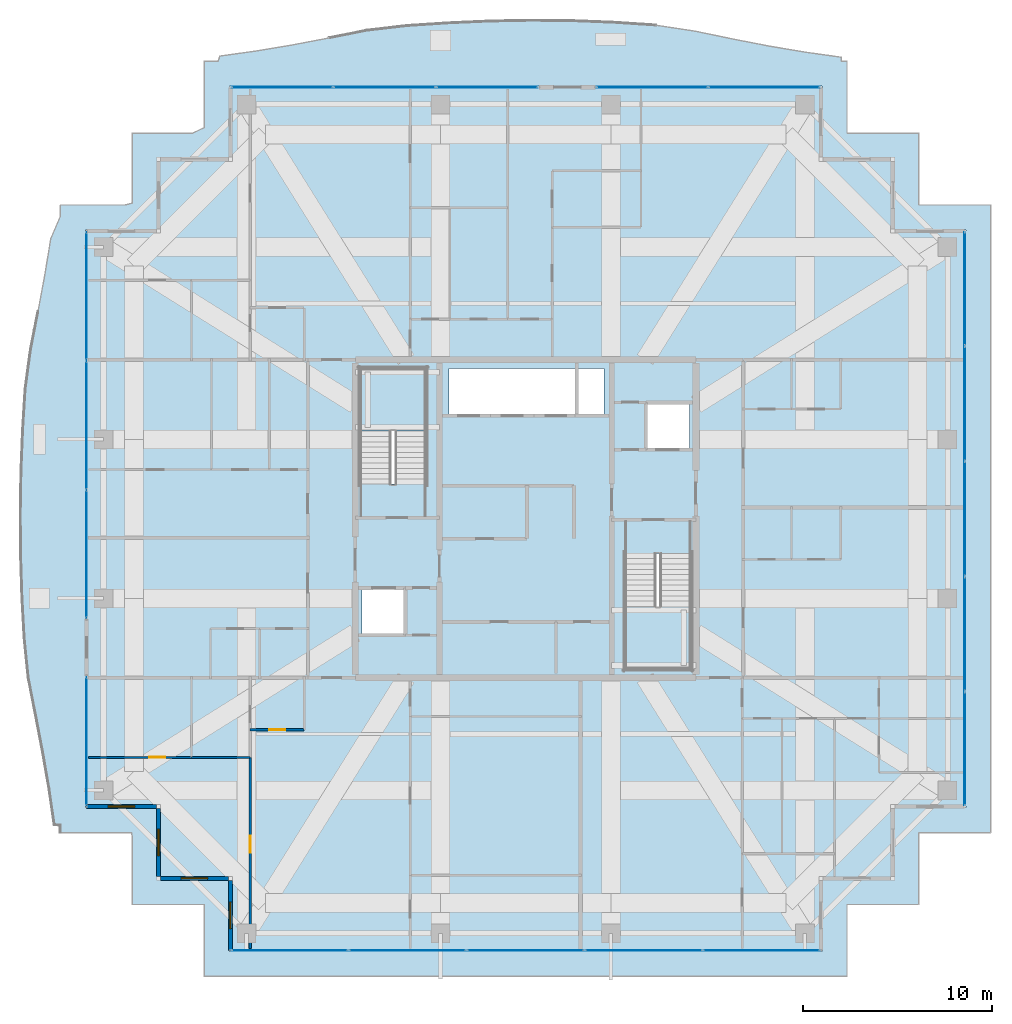
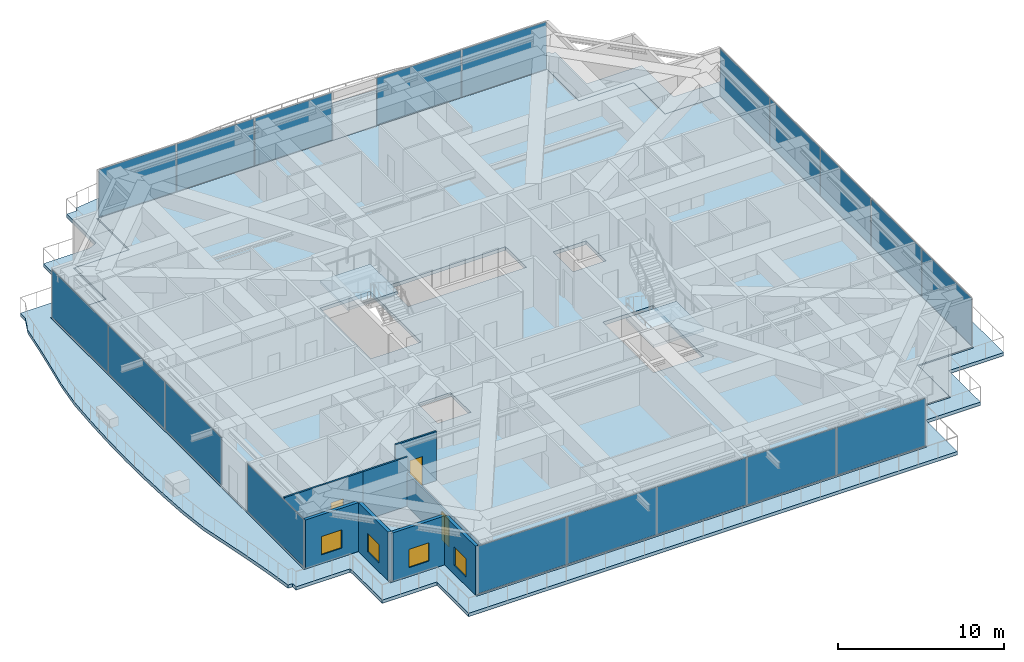
# One storey, part 28 of 40: 19 plates, 8 walls, 4 slabs, 4 windows, 3 doors, 7 openings, 8 elements without a shape of their own.
"""IFC4 building model written with IfcOpenShell, lengths in metres."""

from ifc_helpers import new_model, si_unit, direction, frame, frame_2d, origin, origin_2d, place, context, subcontext, project, spatial, polyline, rectangle, outline, extrude, source, transform, mapped, material, layer, layer_set, type_object, element, fill, aggregate, save


model = new_model("IFC4")

# Units and contexts
model_context = context("Model", 3, precision=1e-05, world=origin(), true_north=direction((0.0, 1.0)))
body_context = subcontext(model_context, "Body", "Model", "MODEL_VIEW")
ifc_project = project(units=[si_unit("LENGTHUNIT", "METRE"), si_unit("AREAUNIT", "SQUARE_METRE"), si_unit("VOLUMEUNIT", "CUBIC_METRE"), si_unit("PLANEANGLEUNIT", "RADIAN"), si_unit("MASSUNIT", "GRAM", prefix="KILO")], contexts=[model_context])

# Site, building, storey
site_placement = place(None, origin())
site = spatial("IfcSite", under=ifc_project, at=site_placement, CompositionType="ELEMENT")
building_placement = place(site_placement, origin())
building = spatial("IfcBuilding", under=site, at=building_placement, Name="Serunith Strait Residences", CompositionType="ELEMENT")
storey_placement = place(building_placement, frame((0.0, 0.0, 333.949951171875)))
storey = spatial("IfcBuildingStorey", under=building, at=storey_placement, Name="L83", CompositionType="ELEMENT", Elevation=333.949951171875)

# Slab
ifc_material_1 = material(Name="Concrete C50/60", Category="concrete")
ifc_layer_1 = layer(ifc_material_1, 0.239990234375, Name="Concrete C50/60")
ifc_layer_set_1 = layer_set([ifc_layer_1], Name="Concrete C50/60")
slab_type_1 = type_object("IfcSlabType", Name="SLB-BALC-240", PredefinedType="FLOOR", material=ifc_layer_set_1)
slab_1_placement = place(storey_placement, frame((0.0, 0.0, -0.2900390625)))
element("IfcSlab", 1, at=slab_1_placement, inside=storey, type_object=slab_type_1, Name="L83 Planted Vertical-Forest Balcony Slab", PredefinedType="FLOOR", context=body_context, shape_type="SweptSolid", body=[
    extrude(outline(polyline([(7.820068359375, 8.6201171875), (7.820068359375, 9.010986328125), (7.501220703125, 9.030029296875), (7.22412109375, 10.929931640625), (6.893310546875, 12.849853515625), (6.518798828125, 14.806640625), (6.124267578125, 16.819091796875), (5.911376953125, 18.939453125), (5.7939453125, 21.109619140625), (5.724853515625, 23.302734375), (5.70849609375, 25.5068359375), (5.7451171875, 27.70849609375), (5.83203125, 29.895263671875), (5.96337890625, 32.05615234375), (6.2451171875, 34.143798828125), (6.634521484375, 36.13916015625), (6.995849609375, 38.084716796875), (7.3095703125, 39.998291015625), (7.820068359375, 41.1875), (7.820068359375, 41.780029296875), (11.22998046875, 41.780029296875), (11.6201171875, 41.87744140625), (11.6201171875, 45.580078125), (14.810791015625, 45.580078125), (15.419921875, 45.866943359375), (15.419921875, 49.3798828125), (16.15625, 49.3798828125), (16.244873046875, 49.647216796875), (18.146484375, 49.91357421875), (20.065185546875, 50.2353515625), (22.01806640625, 50.606689453125), (24.023681640625, 51.008056640625), (26.134521484375, 51.252197265625), (28.302490234375, 51.39404296875), (30.497314453125, 51.49072265625), (32.7080078125, 51.531005859375), (34.919189453125, 51.50830078125), (37.115478515625, 51.42236328125), (39.2822265625, 51.2802734375), (41.364013671875, 50.96240234375), (43.3515625, 50.5498046875), (45.287841796875, 50.17236328125), (47.193603515625, 49.849853515625), (49.0859375, 49.587158203125), (49.083984375, 49.3798828125), (49.3798828125, 49.3798828125), (49.3798828125, 45.580078125), (53.179931640625, 45.580078125), (53.179931640625, 41.780029296875), (56.97998046875, 41.780029296875), (56.97998046875, 8.6201171875), (53.179931640625, 8.6201171875), (53.179931640625, 4.820068359375), (49.392578125, 4.820068359375), (49.3798828125, 4.815185546875), (49.3798828125, 1.02001953125), (15.419921875, 1.02001953125), (15.419921875, 4.820068359375), (11.6201171875, 4.820068359375), (11.6201171875, 8.365966796875), (11.580810546875, 8.6201171875), (7.820068359375, 8.6201171875)]), holes=[polyline([(48.054931640625, 2.344970703125), (48.054931640625, 6.14501953125), (51.85498046875, 6.14501953125), (51.85498046875, 9.945068359375), (55.655029296875, 9.945068359375), (55.655029296875, 40.455078125), (51.85498046875, 40.455078125), (51.85498046875, 44.2548828125), (48.054931640625, 44.2548828125), (48.054931640625, 48.054931640625), (16.7451171875, 48.054931640625), (16.7451171875, 44.2548828125), (12.945068359375, 44.2548828125), (12.945068359375, 40.455078125), (9.14501953125, 40.455078125), (9.14501953125, 9.945068359375), (12.945068359375, 9.945068359375), (12.945068359375, 6.14501953125), (16.7451171875, 6.14501953125), (16.7451171875, 2.344970703125), (48.054931640625, 2.344970703125)])]), origin(), (0.0, 0.0, 1.0), 0.239990234375),
])

# Stair, slab
stair_type_1 = type_object("IfcStairType", Name="STR-CORE-1", PredefinedType="HALF_TURN_STAIR", material=ifc_material_1)
stair_1_placement = place(storey_placement, origin())
stair_1 = element("IfcStair", 2, at=stair_1_placement, inside=storey, type_object=stair_type_1, Name="L83 Protected Escape Stair ST-1", PredefinedType="HALF_TURN_STAIR")
ifc_layer_2 = layer(ifc_material_1, 0.199951171875, Name="Concrete C50/60")
ifc_layer_set_2 = layer_set([ifc_layer_2], Name="Concrete C50/60")
slab_type_2 = type_object("IfcSlabType", Name="SLB-LAND-200", PredefinedType="LANDING", material=ifc_layer_set_2)
slab_2_placement = place(storey_placement, frame((0.0, 0.0, 1.824951171875)))
slab_2 = element("IfcSlab", 3, at=slab_2_placement, type_object=slab_type_2, Name="ST-1 landing 1", PredefinedType="LANDING", context=body_context, shape_type="SweptSolid", body=[
    extrude(outline(polyline([(27.14990234375, 29.830078125), (27.14990234375, 33.14990234375), (23.64990234375, 33.14990234375), (23.64990234375, 29.830078125), (27.14990234375, 29.830078125)])), origin(), (0.0, 0.0, 1.0), 0.2001953125),
])
aggregate(stair_1, [slab_2])

stair_type_2 = type_object("IfcStairType", Name="STR-CORE-2", PredefinedType="HALF_TURN_STAIR", material=ifc_material_1)
stair_2_placement = place(storey_placement, origin())
stair_2 = element("IfcStair", 4, at=stair_2_placement, inside=storey, type_object=stair_type_2, Name="L83 Protected Escape Stair ST-2", PredefinedType="HALF_TURN_STAIR")
slab_3_placement = place(storey_placement, frame((0.0, 0.0, 1.824951171875)))
slab_3 = element("IfcSlab", 5, at=slab_3_placement, type_object=slab_type_2, Name="ST-2 landing 1", PredefinedType="LANDING", context=body_context, shape_type="SweptSolid", body=[
    extrude(outline(polyline([(37.64990234375, 20.570068359375), (37.64990234375, 17.25), (41.14990234375, 17.25), (41.14990234375, 20.570068359375), (37.64990234375, 20.570068359375)])), origin(), (0.0, 0.0, 1.0), 0.2001953125),
])
aggregate(stair_2, [slab_3])

# Slab
ifc_material_2 = material(Name="Concrete C60/75", Category="concrete")
ifc_layer_3 = layer(ifc_material_2, 0.260009765625, Name="Concrete C60/75")
ifc_layer_set_3 = layer_set([ifc_layer_3], Name="Concrete C60/75")
slab_type_3 = type_object("IfcSlabType", Name="SLB-TWR-290-Z4", PredefinedType="FLOOR", material=ifc_layer_set_3)
slab_4_placement = place(storey_placement, frame((0.0, 0.0, -0.260009765625)))
element("IfcSlab", 6, at=slab_4_placement, inside=storey, type_object=slab_type_3, Name="L83 Structural Floor Plate", PredefinedType="FLOOR", context=body_context, shape_type="SweptSolid", body=[
    extrude(outline(polyline([(16.800048828125, 6.199951171875), (13.0, 6.199951171875), (13.0, 10.0), (9.199951171875, 10.0), (9.199951171875, 40.39990234375), (13.0, 40.39990234375), (13.0, 44.199951171875), (16.800048828125, 44.199951171875), (16.800048828125, 48.0), (48.0, 48.0), (48.0, 44.199951171875), (51.800048828125, 44.199951171875), (51.800048828125, 40.39990234375), (55.60009765625, 40.39990234375), (55.60009765625, 10.0), (51.800048828125, 10.0), (51.800048828125, 6.199951171875), (48.0, 6.199951171875), (48.0, 2.39990234375), (16.800048828125, 2.39990234375), (16.800048828125, 6.199951171875)]), holes=[polyline([(41.14990234375, 23.3701171875), (37.64990234375, 23.3701171875), (37.64990234375, 17.25), (41.14990234375, 17.25), (41.14990234375, 23.3701171875)]), polyline([(38.75, 31.25), (38.75, 28.85009765625), (41.050048828125, 28.85009765625), (41.050048828125, 31.25), (38.75, 31.25)]), polyline([(36.550048828125, 33.14990234375), (28.35009765625, 33.14990234375), (28.35009765625, 30.64990234375), (36.550048828125, 30.64990234375), (36.550048828125, 33.14990234375)]), polyline([(23.64990234375, 33.14990234375), (23.64990234375, 27.030029296875), (27.14990234375, 27.030029296875), (27.14990234375, 33.14990234375), (23.64990234375, 33.14990234375)]), polyline([(23.75, 21.550048828125), (23.75, 19.14990234375), (26.050048828125, 19.14990234375), (26.050048828125, 21.550048828125), (23.75, 21.550048828125)])]), origin(), (0.0, 0.0, 1.0), 0.260009765625),
])

# Curtain wall, plates
ifc_material_3 = material(Name="Brushed Stainless-Silver Aluminium", Category="aluminium")
ifc_layer_4 = layer(ifc_material_3, 0.199951171875, Name="Brushed Stainless-Silver Aluminium")
ifc_layer_set_4 = layer_set([ifc_layer_4], Name="Brushed Stainless-Silver Aluminium")
curtain_wall_type = type_object("IfcCurtainWallType", Name="CW-SYS5", PredefinedType="NOTDEFINED", material=ifc_layer_set_4)
curtain_wall_1_placement = place(storey_placement, origin())
curtain_wall_1 = element("IfcCurtainWall", 7, at=curtain_wall_1_placement, inside=storey, type_object=curtain_wall_type, Name="L83 S Unitised Fritted Curtain Wall", PredefinedType="NOTDEFINED")
ifc_material_4 = material(Name="Triple-Silver Low-E Operable Glazing 34mm", Category="glass")
ifc_layer_5 = layer(ifc_material_4, 0.033935546875, Name="Triple-Silver Low-E Operable Glazing 34mm")
ifc_layer_set_5 = layer_set([ifc_layer_5], Name="Triple-Silver Low-E Operable Glazing 34mm")
plate_type = type_object("IfcPlateType", Name="CW-SYS5-PNL", PredefinedType="CURTAIN_PANEL", material=ifc_layer_set_5)
shared_shape_1 = source(origin(), body_context, "Body", "SweptSolid", [
    extrude(rectangle(XDim=6.142578125, YDim=0.033935546875, at=origin_2d()), origin(), (0.0, 0.0, 1.0), 3.47509765625),
])
plate_1_placement = place(storey_placement, frame((19.936279296875, 2.39990234375, 0.06005859375), z_axis=(0.0, 0.0, 1.0), x_axis=(1.0, 0.0, 0.0)))
plate_1 = element("IfcPlate", 8, at=plate_1_placement, type_object=plate_type, Name="CW-5 panel 1.1", PredefinedType="CURTAIN_PANEL", context=body_context, shape_type="MappedRepresentation", body=[
    mapped(shared_shape_1, transform((0.0, 0.0, 0.0), scale=1.0)),
])
plate_2_placement = place(storey_placement, frame((44.86376953125, 2.39990234375, 0.06005859375), z_axis=(0.0, 0.0, 1.0), x_axis=(1.0, 0.0, 0.0)))
plate_2 = element("IfcPlate", 9, at=plate_2_placement, type_object=plate_type, Name="CW-5 panel 5.1", PredefinedType="CURTAIN_PANEL", context=body_context, shape_type="MappedRepresentation", body=[
    mapped(shared_shape_1, transform((0.0, 0.0, 0.0), scale=1.0)),
])
shared_shape_2 = source(origin(), body_context, "Body", "SweptSolid", [
    extrude(rectangle(XDim=6.175048828125, YDim=0.033935546875, at=origin_2d()), origin(), (0.0, 0.0, 1.0), 3.47509765625),
])
plate_3_placement = place(storey_placement, frame((26.159912109375, 2.39990234375, 0.06005859375), z_axis=(0.0, 0.0, 1.0), x_axis=(1.0, 0.0, 0.0)))
plate_3 = element("IfcPlate", 10, at=plate_3_placement, type_object=plate_type, Name="CW-5 panel 2.1", PredefinedType="CURTAIN_PANEL", context=body_context, shape_type="MappedRepresentation", body=[
    mapped(shared_shape_2, transform((0.0, 0.0, 0.0), scale=1.0)),
])
plate_4_placement = place(storey_placement, frame((32.39990234375, 2.39990234375, 0.06005859375), z_axis=(0.0, 0.0, 1.0), x_axis=(1.0, 0.0, 0.0)))
plate_4 = element("IfcPlate", 11, at=plate_4_placement, type_object=plate_type, Name="CW-5 panel 3.1", PredefinedType="CURTAIN_PANEL", context=body_context, shape_type="MappedRepresentation", body=[
    mapped(shared_shape_2, transform((0.0, 0.0, 0.0), scale=1.0)),
])
plate_5_placement = place(storey_placement, frame((38.639892578125, 2.39990234375, 0.06005859375), z_axis=(0.0, 0.0, 1.0), x_axis=(1.0, 0.0, 0.0)))
plate_5 = element("IfcPlate", 12, at=plate_5_placement, type_object=plate_type, Name="CW-5 panel 4.1", PredefinedType="CURTAIN_PANEL", context=body_context, shape_type="MappedRepresentation", body=[
    mapped(shared_shape_2, transform((0.0, 0.0, 0.0), scale=1.0)),
])
aggregate(curtain_wall_1, [plate_1, plate_3, plate_4, plate_5, plate_2])

curtain_wall_2_placement = place(storey_placement, origin())
curtain_wall_2 = element("IfcCurtainWall", 13, at=curtain_wall_2_placement, inside=storey, type_object=curtain_wall_type, Name="L83 E Unitised Fritted Curtain Wall", PredefinedType="NOTDEFINED")
shared_shape_3 = source(origin(), body_context, "Body", "SweptSolid", [
    extrude(rectangle(XDim=5.982421875, YDim=0.033935546875, at=origin_2d()), origin(), (0.0, 0.0, 1.0), 3.47509765625),
])
plate_6_placement = place(storey_placement, frame((55.60009765625, 13.05615234375, 0.06005859375), z_axis=(0.0, 0.0, 1.0), x_axis=(0.0, 1.0, 0.0)))
plate_6 = element("IfcPlate", 14, at=plate_6_placement, type_object=plate_type, Name="CW-5 panel 1.1", PredefinedType="CURTAIN_PANEL", context=body_context, shape_type="MappedRepresentation", body=[
    mapped(shared_shape_3, transform((0.0, 0.0, 0.0), scale=1.0)),
])
plate_7_placement = place(storey_placement, frame((55.60009765625, 37.34375, 0.06005859375), z_axis=(0.0, 0.0, 1.0), x_axis=(0.0, 1.0, 0.0)))
plate_7 = element("IfcPlate", 15, at=plate_7_placement, type_object=plate_type, Name="CW-5 panel 5.1", PredefinedType="CURTAIN_PANEL", context=body_context, shape_type="MappedRepresentation", body=[
    mapped(shared_shape_3, transform((0.0, 0.0, 0.0), scale=1.0)),
])
shared_shape_4 = source(origin(), body_context, "Body", "SweptSolid", [
    extrude(rectangle(XDim=6.014892578125, YDim=0.033935546875, at=origin_2d()), origin(), (0.0, 0.0, 1.0), 3.47509765625),
])
plate_8_placement = place(storey_placement, frame((55.60009765625, 19.1201171875, 0.06005859375), z_axis=(0.0, 0.0, 1.0), x_axis=(0.0, 1.0, 0.0)))
plate_8 = element("IfcPlate", 16, at=plate_8_placement, type_object=plate_type, Name="CW-5 panel 2.1", PredefinedType="CURTAIN_PANEL", context=body_context, shape_type="MappedRepresentation", body=[
    mapped(shared_shape_4, transform((0.0, 0.0, 0.0), scale=1.0)),
])
plate_9_placement = place(storey_placement, frame((55.60009765625, 25.199951171875, 0.06005859375), z_axis=(0.0, 0.0, 1.0), x_axis=(0.0, 1.0, 0.0)))
plate_9 = element("IfcPlate", 17, at=plate_9_placement, type_object=plate_type, Name="CW-5 panel 3.1", PredefinedType="CURTAIN_PANEL", context=body_context, shape_type="MappedRepresentation", body=[
    mapped(shared_shape_4, transform((0.0, 0.0, 0.0), scale=1.0)),
])
plate_10_placement = place(storey_placement, frame((55.60009765625, 31.280029296875, 0.06005859375), z_axis=(0.0, 0.0, 1.0), x_axis=(0.0, 1.0, 0.0)))
plate_10 = element("IfcPlate", 18, at=plate_10_placement, type_object=plate_type, Name="CW-5 panel 4.1", PredefinedType="CURTAIN_PANEL", context=body_context, shape_type="MappedRepresentation", body=[
    mapped(shared_shape_4, transform((0.0, 0.0, 0.0), scale=1.0)),
])
aggregate(curtain_wall_2, [plate_6, plate_8, plate_9, plate_10, plate_7])

curtain_wall_3_placement = place(storey_placement, origin())
curtain_wall_3 = element("IfcCurtainWall", 19, at=curtain_wall_3_placement, inside=storey, type_object=curtain_wall_type, Name="L83 N Unitised Fritted Curtain Wall", PredefinedType="NOTDEFINED")
shared_shape_5 = source(origin(), body_context, "Body", "SweptSolid", [
    extrude(rectangle(XDim=5.8525390625, YDim=0.033935546875, at=origin_2d()), origin(), (0.0, 0.0, 1.0), 3.47509765625),
])
plate_11_placement = place(storey_placement, frame((45.0087890625, 48.0, 0.06005859375), z_axis=(0.0, 0.0, 1.0), x_axis=(-1.0, 0.0, 0.0)))
plate_11 = element("IfcPlate", 20, at=plate_11_placement, type_object=plate_type, Name="CW-5 panel 1.1", PredefinedType="CURTAIN_PANEL", context=body_context, shape_type="MappedRepresentation", body=[
    mapped(shared_shape_5, transform((0.0, 0.0, 0.0), scale=1.0)),
])
plate_12_placement = place(storey_placement, frame((39.09130859375, 48.0, 0.06005859375), z_axis=(0.0, 0.0, 1.0), x_axis=(-1.0, 0.0, 0.0)))
plate_12 = element("IfcPlate", 21, at=plate_12_placement, type_object=plate_type, Name="CW-5 panel 2.1", PredefinedType="CURTAIN_PANEL", context=body_context, shape_type="MappedRepresentation", body=[
    mapped(shared_shape_5, transform((0.0, 0.0, 0.0), scale=1.0)),
])
aggregate(curtain_wall_3, [plate_11, plate_12])

curtain_wall_4_placement = place(storey_placement, origin())
curtain_wall_4 = element("IfcCurtainWall", 22, at=curtain_wall_4_placement, inside=storey, type_object=curtain_wall_type, Name="L83 N Unitised Fritted Curtain Wall", PredefinedType="NOTDEFINED")
shared_shape_6 = source(origin(), body_context, "Body", "SweptSolid", [
    extrude(rectangle(XDim=5.3359375, YDim=0.033935546875, at=origin_2d()), origin(), (0.0, 0.0, 1.0), 3.47509765625),
])
plate_13_placement = place(storey_placement, frame((30.3671875, 48.0, 0.06005859375), z_axis=(0.0, 0.0, 1.0), x_axis=(-1.0, 0.0, 0.0)))
plate_13 = element("IfcPlate", 23, at=plate_13_placement, type_object=plate_type, Name="CW-5 panel 1.1", PredefinedType="CURTAIN_PANEL", context=body_context, shape_type="MappedRepresentation", body=[
    mapped(shared_shape_6, transform((0.0, 0.0, 0.0), scale=1.0)),
])
plate_14_placement = place(storey_placement, frame((19.532958984375, 48.0, 0.06005859375), z_axis=(0.0, 0.0, 1.0), x_axis=(-1.0, 0.0, 0.0)))
plate_14 = element("IfcPlate", 24, at=plate_14_placement, type_object=plate_type, Name="CW-5 panel 3.1", PredefinedType="CURTAIN_PANEL", context=body_context, shape_type="MappedRepresentation", body=[
    mapped(shared_shape_6, transform((0.0, 0.0, 0.0), scale=1.0)),
])
shared_shape_7 = source(origin(), body_context, "Body", "SweptSolid", [
    extrude(rectangle(XDim=5.368408203125, YDim=0.033935546875, at=origin_2d()), origin(), (0.0, 0.0, 1.0), 3.47509765625),
])
plate_15_placement = place(storey_placement, frame((24.949951171875, 48.0, 0.06005859375), z_axis=(0.0, 0.0, 1.0), x_axis=(-1.0, 0.0, 0.0)))
plate_15 = element("IfcPlate", 25, at=plate_15_placement, type_object=plate_type, Name="CW-5 panel 2.1", PredefinedType="CURTAIN_PANEL", context=body_context, shape_type="MappedRepresentation", body=[
    mapped(shared_shape_7, transform((0.0, 0.0, 0.0), scale=1.0)),
])
aggregate(curtain_wall_4, [plate_13, plate_15, plate_14])

curtain_wall_5_placement = place(storey_placement, origin())
curtain_wall_5 = element("IfcCurtainWall", 26, at=curtain_wall_5_placement, inside=storey, type_object=curtain_wall_type, Name="L83 W Unitised Fritted Curtain Wall", PredefinedType="NOTDEFINED")
shared_shape_8 = source(origin(), body_context, "Body", "SweptSolid", [
    extrude(rectangle(XDim=6.73583984375, YDim=0.033935546875, at=origin_2d()), origin(), (0.0, 0.0, 1.0), 3.47509765625),
])
plate_16_placement = place(storey_placement, frame((9.199951171875, 36.967041015625, 0.06005859375), z_axis=(0.0, 0.0, 1.0), x_axis=(0.0, -1.0, 0.0)))
plate_16 = element("IfcPlate", 27, at=plate_16_placement, type_object=plate_type, Name="CW-5 panel 1.1", PredefinedType="CURTAIN_PANEL", context=body_context, shape_type="MappedRepresentation", body=[
    mapped(shared_shape_8, transform((0.0, 0.0, 0.0), scale=1.0)),
])
plate_17_placement = place(storey_placement, frame((9.199951171875, 23.3330078125, 0.06005859375), z_axis=(0.0, 0.0, 1.0), x_axis=(0.0, -1.0, 0.0)))
plate_17 = element("IfcPlate", 28, at=plate_17_placement, type_object=plate_type, Name="CW-5 panel 3.1", PredefinedType="CURTAIN_PANEL", context=body_context, shape_type="MappedRepresentation", body=[
    mapped(shared_shape_8, transform((0.0, 0.0, 0.0), scale=1.0)),
])
shared_shape_9 = source(origin(), body_context, "Body", "SweptSolid", [
    extrude(rectangle(XDim=6.768310546875, YDim=0.033935546875, at=origin_2d()), origin(), (0.0, 0.0, 1.0), 3.47509765625),
])
plate_18_placement = place(storey_placement, frame((9.199951171875, 30.14990234375, 0.06005859375), z_axis=(0.0, 0.0, 1.0), x_axis=(0.0, -1.0, 0.0)))
plate_18 = element("IfcPlate", 29, at=plate_18_placement, type_object=plate_type, Name="CW-5 panel 2.1", PredefinedType="CURTAIN_PANEL", context=body_context, shape_type="MappedRepresentation", body=[
    mapped(shared_shape_9, transform((0.0, 0.0, 0.0), scale=1.0)),
])
aggregate(curtain_wall_5, [plate_16, plate_18, plate_17])

# Curtain wall, plate
curtain_wall_6_placement = place(storey_placement, origin())
curtain_wall_6 = element("IfcCurtainWall", 30, at=curtain_wall_6_placement, inside=storey, type_object=curtain_wall_type, Name="L83 W Unitised Fritted Curtain Wall", PredefinedType="NOTDEFINED")
shared_shape_10 = source(origin(), body_context, "Body", "SweptSolid", [
    extrude(rectangle(XDim=6.77001953125, YDim=0.033935546875, at=origin_2d()), origin(), (0.0, 0.0, 1.0), 3.47509765625),
])
plate_19_placement = place(storey_placement, frame((9.199951171875, 13.449951171875, 0.06005859375), z_axis=(0.0, 0.0, 1.0), x_axis=(0.0, -1.0, 0.0)))
plate_19 = element("IfcPlate", 31, at=plate_19_placement, type_object=plate_type, Name="CW-5 panel 1.1", PredefinedType="CURTAIN_PANEL", context=body_context, shape_type="MappedRepresentation", body=[
    mapped(shared_shape_10, transform((0.0, 0.0, 0.0), scale=1.0)),
])
aggregate(curtain_wall_6, [plate_19])

# Wall, opening, window
ifc_material_5 = material(Name="Pale-Champagne Aluminium Insulated Panel", Category="aluminium")
ifc_layer_6 = layer(ifc_material_5, 0.219970703125, Name="Pale-Champagne Aluminium Insulated Panel")
ifc_layer_set_6 = layer_set([ifc_layer_6], Name="Pale-Champagne Aluminium Insulated Panel")
wall_type_1 = type_object("IfcWallType", Name="EW-ALUM-220", PredefinedType="ELEMENTEDWALL", material=ifc_layer_set_6)
wall_1_placement = place(storey_placement, frame((9.199951171875, 10.0, 0.0), z_axis=(0.0, 0.0, 1.0), x_axis=(1.0, 0.0, 0.0)))
wall_1 = element("IfcWall", 32, at=wall_1_placement, inside=storey, type_object=wall_type_1, Name="L83 Girih Serrated Corner Wall 17", PredefinedType="ELEMENTEDWALL", context=body_context, shape_type="SweptSolid", body=[
    extrude(rectangle(XDim=3.68994140625, YDim=0.219970703125, at=frame_2d((1.844970703125, 0.0))), origin(), (0.0, 0.0, 1.0), 3.594970703125),
])
opening_1_placement = place(wall_1_placement, frame((1.14501953125, 0.0, 0.64990234375)))
opening_1 = element("IfcOpeningElement", 33, at=opening_1_placement, cuts=wall_1, Name="Opening W-09", PredefinedType="OPENING", context=body_context, shape_type="SweptSolid", body=[
    extrude(rectangle(XDim=1.39990234375, YDim=1.35009765625, at=frame_2d((0.699951171875, 0.675048828125))), frame((0.0, 0.1201171875, 0.0), z_axis=(0.0, -1.0, 0.0), x_axis=(1.0, 0.0, 0.0)), (0.0, 0.0, 1.0), 0.239990234375),
])
ifc_material_6 = material(Name="Setback Spandrel Ceramic-Fritted Operable Window Glass", Category="glass")
window_type = type_object("IfcWindowType", Name="WIN-C7", PartitioningType="DOUBLE_PANEL_VERTICAL", PredefinedType="WINDOW", material=ifc_material_6)
shared_shape_11 = source(origin(), body_context, "Body", "SweptSolid", [
    extrude(rectangle(XDim=1.39990234375, YDim=1.35009765625, at=frame_2d((0.699951171875, 0.675048828125))), frame((0.0, 0.030029296875, 0.0), z_axis=(0.0, -1.0, 0.0), x_axis=(1.0, 0.0, 0.0)), (0.0, 0.0, 1.0), 0.06005859375),
])
window_1_placement = place(opening_1_placement, origin())
window_1 = element("IfcWindow", 34, at=window_1_placement, inside=storey, type_object=window_type, Name="L83 Corner Operable Fritted Window 17", OverallHeight=1.35009765625, OverallWidth=1.39990234375, PartitioningType="SINGLE_PANEL", PredefinedType="WINDOW", context=body_context, shape_type="MappedRepresentation", body=[
    mapped(shared_shape_11, transform((0.0, 0.0, 0.0), scale=1.0)),
])
fill(opening_1, window_1)

wall_2_placement = place(storey_placement, frame((13.0, 9.889892578125, 0.0), z_axis=(0.0, 0.0, 1.0), x_axis=(0.0, -1.0, 0.0)))
wall_2 = element("IfcWall", 35, at=wall_2_placement, inside=storey, type_object=wall_type_1, Name="L83 Girih Serrated Corner Wall 18", PredefinedType="ELEMENTEDWALL", context=body_context, shape_type="SweptSolid", body=[
    extrude(rectangle(XDim=3.579833984375, YDim=0.219970703125, at=frame_2d((1.7900390625, 0.0))), origin(), (0.0, 0.0, 1.0), 3.594970703125),
])
opening_2_placement = place(wall_2_placement, frame((1.090087890625, 0.0, 0.64990234375)))
opening_2 = element("IfcOpeningElement", 36, at=opening_2_placement, cuts=wall_2, Name="Opening W-09", PredefinedType="OPENING", context=body_context, shape_type="SweptSolid", body=[
    extrude(rectangle(XDim=1.39990234375, YDim=1.35009765625, at=frame_2d((0.699951171875, 0.675048828125))), frame((0.0, 0.1201171875, 0.0), z_axis=(0.0, -1.0, 0.0), x_axis=(1.0, 0.0, 0.0)), (0.0, 0.0, 1.0), 0.239990234375),
])
window_2_placement = place(opening_2_placement, origin())
window_2 = element("IfcWindow", 37, at=window_2_placement, inside=storey, type_object=window_type, Name="L83 Corner Operable Fritted Window 18", OverallHeight=1.35009765625, OverallWidth=1.39990234375, PartitioningType="SINGLE_PANEL", PredefinedType="WINDOW", context=body_context, shape_type="MappedRepresentation", body=[
    mapped(shared_shape_11, transform((0.0, 0.0, 0.0), scale=1.0)),
])
fill(opening_2, window_2)

wall_3_placement = place(storey_placement, frame((13.110107421875, 6.199951171875, 0.0), z_axis=(0.0, 0.0, 1.0), x_axis=(1.0, 0.0, 0.0)))
wall_3 = element("IfcWall", 38, at=wall_3_placement, inside=storey, type_object=wall_type_1, Name="L83 Girih Serrated Corner Wall 19", PredefinedType="ELEMENTEDWALL", context=body_context, shape_type="SweptSolid", body=[
    extrude(rectangle(XDim=3.579833984375, YDim=0.219970703125, at=frame_2d((1.7900390625, 0.0))), origin(), (0.0, 0.0, 1.0), 3.594970703125),
])
opening_3_placement = place(wall_3_placement, frame((1.090087890625, 0.0, 0.64990234375)))
opening_3 = element("IfcOpeningElement", 39, at=opening_3_placement, cuts=wall_3, Name="Opening W-09", PredefinedType="OPENING", context=body_context, shape_type="SweptSolid", body=[
    extrude(rectangle(XDim=1.39990234375, YDim=1.35009765625, at=frame_2d((0.699951171875, 0.675048828125))), frame((0.0, 0.1201171875, 0.0), z_axis=(0.0, -1.0, 0.0), x_axis=(1.0, 0.0, 0.0)), (0.0, 0.0, 1.0), 0.239990234375),
])
window_3_placement = place(opening_3_placement, origin())
window_3 = element("IfcWindow", 40, at=window_3_placement, inside=storey, type_object=window_type, Name="L83 Corner Operable Fritted Window 19", OverallHeight=1.35009765625, OverallWidth=1.39990234375, PartitioningType="SINGLE_PANEL", PredefinedType="WINDOW", context=body_context, shape_type="MappedRepresentation", body=[
    mapped(shared_shape_11, transform((0.0, 0.0, 0.0), scale=1.0)),
])
fill(opening_3, window_3)

wall_4_placement = place(storey_placement, frame((16.800048828125, 6.090087890625, 0.0), z_axis=(0.0, 0.0, 1.0), x_axis=(0.0, -1.0, 0.0)))
wall_4 = element("IfcWall", 41, at=wall_4_placement, inside=storey, type_object=wall_type_1, Name="L83 Girih Serrated Corner Wall 20", PredefinedType="ELEMENTEDWALL", context=body_context, shape_type="SweptSolid", body=[
    extrude(rectangle(XDim=3.690185546875, YDim=0.219970703125, at=frame_2d((1.84521484375, 0.0))), origin(), (0.0, 0.0, 1.0), 3.594970703125),
])
opening_4_placement = place(wall_4_placement, frame((1.14501953125, 0.0, 0.64990234375)))
opening_4 = element("IfcOpeningElement", 42, at=opening_4_placement, cuts=wall_4, Name="Opening W-09", PredefinedType="OPENING", context=body_context, shape_type="SweptSolid", body=[
    extrude(rectangle(XDim=1.39990234375, YDim=1.35009765625, at=frame_2d((0.699951171875, 0.675048828125))), frame((0.0, 0.1201171875, 0.0), z_axis=(0.0, -1.0, 0.0), x_axis=(1.0, 0.0, 0.0)), (0.0, 0.0, 1.0), 0.239990234375),
])
window_4_placement = place(opening_4_placement, origin())
window_4 = element("IfcWindow", 43, at=window_4_placement, inside=storey, type_object=window_type, Name="L83 Corner Operable Fritted Window 20", OverallHeight=1.35009765625, OverallWidth=1.39990234375, PartitioningType="SINGLE_PANEL", PredefinedType="WINDOW", context=body_context, shape_type="MappedRepresentation", body=[
    mapped(shared_shape_11, transform((0.0, 0.0, 0.0), scale=1.0)),
])
fill(opening_4, window_4)

# Wall, opening, door
ifc_material_7 = material(Name="Lightweight steel-stud gypsum partition", Category="steel")
ifc_layer_7 = layer(ifc_material_7, 0.1201171875, Name="Lightweight steel-stud gypsum partition")
ifc_layer_set_7 = layer_set([ifc_layer_7], Name="Lightweight steel-stud gypsum partition")
wall_type_2 = type_object("IfcWallType", Name="IW-PART-120", PredefinedType="PARTITIONING", material=ifc_layer_set_7)
wall_5_placement = place(storey_placement, frame((17.85009765625, 14.050048828125, 0.0), z_axis=(0.0, 0.0, 1.0), x_axis=(1.0, 0.0, 0.0)))
wall_5 = element("IfcWall", 44, at=wall_5_placement, inside=storey, type_object=wall_type_2, Name="L83 Partition Wall 033", PredefinedType="PARTITIONING", context=body_context, shape_type="SweptSolid", body=[
    extrude(rectangle(XDim=2.849853515625, YDim=0.1201171875, at=frame_2d((1.4248046875, 0.0))), origin(), (0.0, 0.0, 1.0), 3.610107421875),
])
opening_5_placement = place(wall_5_placement, frame((1.0, 0.0, 0.0)))
opening_5 = element("IfcOpeningElement", 45, at=opening_5_placement, cuts=wall_5, Name="Opening D-RM850", PredefinedType="OPENING", context=body_context, shape_type="SweptSolid", body=[
    extrude(rectangle(XDim=0.85009765625, YDim=2.10009765625, at=frame_2d((0.425048828125, 1.050048828125))), frame((0.0, 0.070068359375, 0.0), z_axis=(0.0, -1.0, 0.0), x_axis=(1.0, 0.0, 0.0)), (0.0, 0.0, 1.0), 0.14013671875),
])
ifc_material_8 = material(Name="Engineered timber flush study and kitchen door", Category="wood")
door_type_1 = type_object("IfcDoorType", Name="ID-ROOM-850", OperationType="NOTDEFINED", PredefinedType="DOOR", material=ifc_material_8)
shared_shape_12 = source(origin(), body_context, "Body", "SweptSolid", [
    extrude(rectangle(XDim=0.85009765625, YDim=2.10009765625, at=frame_2d((0.425048828125, 1.050048828125))), frame((0.0, 0.02490234375, 0.0), z_axis=(0.0, -1.0, 0.0), x_axis=(1.0, 0.0, 0.0)), (0.0, 0.0, 1.0), 0.050048828125),
])
door_1_placement = place(opening_5_placement, origin())
door_1 = element("IfcDoor", 46, at=door_1_placement, inside=storey, type_object=door_type_1, Name="L83 Kitchen 8301 Door", OperationType="SINGLE_SWING_RIGHT", OverallHeight=2.10009765625, OverallWidth=0.85009765625, PredefinedType="DOOR", context=body_context, shape_type="MappedRepresentation", body=[
    mapped(shared_shape_12, transform((0.0, 0.0, 0.0), scale=1.0)),
])
fill(opening_5, door_1)

wall_6_placement = place(storey_placement, frame((17.85009765625, 2.4951171875, 0.0), z_axis=(0.0, 0.0, 1.0), x_axis=(0.0, 1.0, 0.0)))
wall_6 = element("IfcWall", 47, at=wall_6_placement, inside=storey, type_object=wall_type_2, Name="L83 Partition Wall 035", PredefinedType="PARTITIONING", context=body_context, shape_type="SweptSolid", body=[
    extrude(rectangle(XDim=10.097900390625, YDim=0.1201171875, at=frame_2d((5.048828125, 0.0))), origin(), (0.0, 0.0, 1.0), 2.445068359375),
])
opening_6_placement = place(wall_6_placement, frame((5.05908203125, 0.0, 0.0)))
opening_6 = element("IfcOpeningElement", 48, at=opening_6_placement, cuts=wall_6, Name="Opening D-RM900", PredefinedType="OPENING", context=body_context, shape_type="SweptSolid", body=[
    extrude(rectangle(XDim=0.89990234375, YDim=2.10009765625, at=frame_2d((0.449951171875, 1.050048828125))), frame((0.0, 0.070068359375, 0.0), z_axis=(0.0, -1.0, 0.0), x_axis=(1.0, 0.0, 0.0)), (0.0, 0.0, 1.0), 0.14013671875),
])
ifc_material_9 = material(Name="Engineered timber flush bedroom door", Category="wood")
door_type_2 = type_object("IfcDoorType", Name="ID-ROOM-900", OperationType="NOTDEFINED", PredefinedType="DOOR", material=ifc_material_9)
shared_shape_13 = source(origin(), body_context, "Body", "SweptSolid", [
    extrude(rectangle(XDim=0.89990234375, YDim=2.10009765625, at=frame_2d((0.449951171875, 1.050048828125))), frame((0.0, 0.02490234375, 0.0), z_axis=(0.0, -1.0, 0.0), x_axis=(1.0, 0.0, 0.0)), (0.0, 0.0, 1.0), 0.050048828125),
])
door_2_placement = place(opening_6_placement, origin())
door_2 = element("IfcDoor", 49, at=door_2_placement, inside=storey, type_object=door_type_2, Name="L83 Master Bedroom 1 8301 Door", OperationType="SINGLE_SWING_LEFT", OverallHeight=2.10009765625, OverallWidth=0.89990234375, PredefinedType="DOOR", context=body_context, shape_type="MappedRepresentation", body=[
    mapped(shared_shape_13, transform((0.0, 0.0, 0.0), scale=1.0)),
])
fill(opening_6, door_2)

wall_7_placement = place(storey_placement, frame((9.294921875, 12.593017578125, 0.0), z_axis=(0.0, 0.0, 1.0), x_axis=(1.0, 0.0, 0.0)))
wall_7 = element("IfcWall", 50, at=wall_7_placement, inside=storey, type_object=wall_type_2, Name="L83 Partition Wall 036", PredefinedType="PARTITIONING", context=body_context, shape_type="SweptSolid", body=[
    extrude(rectangle(XDim=5.455078125, YDim=0.1201171875, at=frame_2d((2.7275390625, 0.0))), origin(), (0.0, 0.0, 1.0), 3.610107421875),
])
opening_7_placement = place(wall_7_placement, frame((3.22412109375, 0.0, 0.0)))
opening_7 = element("IfcOpeningElement", 51, at=opening_7_placement, cuts=wall_7, Name="Opening D-RM850", PredefinedType="OPENING", context=body_context, shape_type="SweptSolid", body=[
    extrude(rectangle(XDim=0.85009765625, YDim=2.10009765625, at=frame_2d((0.425048828125, 1.050048828125))), frame((0.0, 0.070068359375, 0.0), z_axis=(0.0, -1.0, 0.0), x_axis=(1.0, 0.0, 0.0)), (0.0, 0.0, 1.0), 0.14013671875),
])
door_3_placement = place(opening_7_placement, origin())
door_3 = element("IfcDoor", 52, at=door_3_placement, inside=storey, type_object=door_type_1, Name="L83 Wardrobe 8301 Door", OperationType="SINGLE_SWING_RIGHT", OverallHeight=2.10009765625, OverallWidth=0.85009765625, PredefinedType="DOOR", context=body_context, shape_type="MappedRepresentation", body=[
    mapped(shared_shape_12, transform((0.0, 0.0, 0.0), scale=1.0)),
])
fill(opening_7, door_3)

# Wall
wall_8_placement = place(storey_placement, frame((14.751953125, 12.593017578125, 0.0), z_axis=(0.0, 0.0, 1.0), x_axis=(1.0, 0.0, 0.0)))
element("IfcWall", 53, at=wall_8_placement, inside=storey, type_object=wall_type_2, Name="L83 Partition Wall 037", PredefinedType="PARTITIONING", context=body_context, shape_type="SweptSolid", body=[
    extrude(rectangle(XDim=3.09814453125, YDim=0.1201171875, at=frame_2d((1.549072265625, 0.0))), origin(), (0.0, 0.0, 1.0), 3.610107421875),
])

save(model, "model.ifc")
